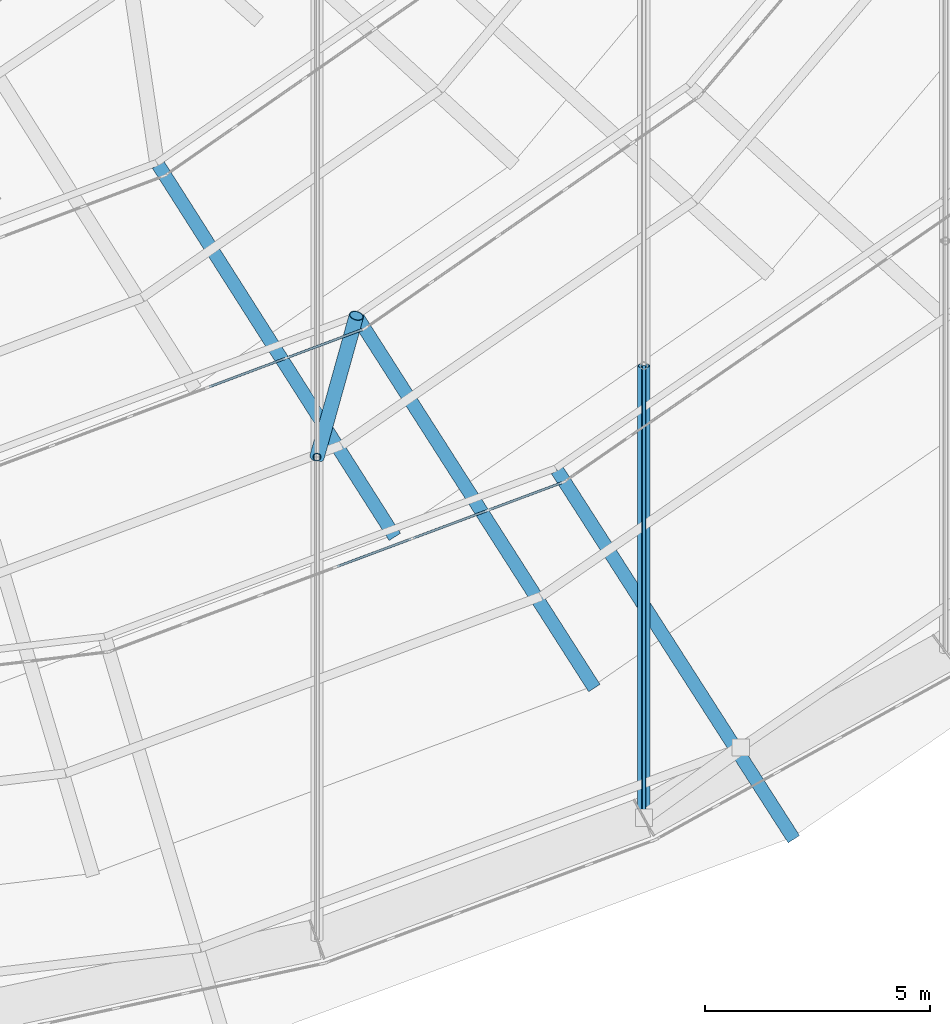
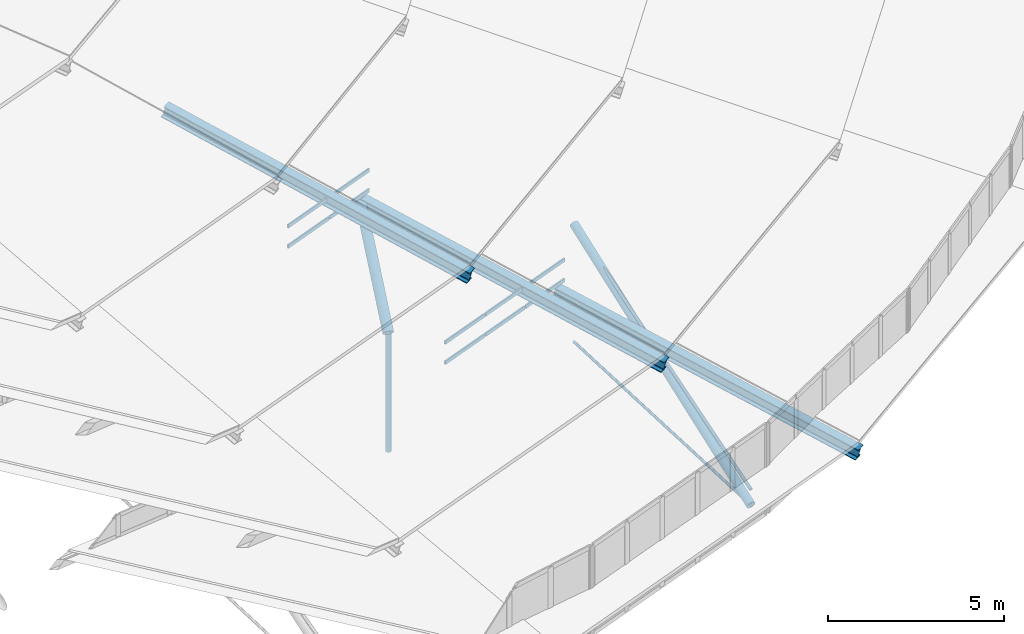
# One storey, part 75 of 173: 18 members, 2 elements without a shape of their own.
"""IFC4 building model written with IfcOpenShell, lengths in metres."""

from ifc_helpers import new_model, si_unit, direction, frame, origin, origin_2d, place, context, subcontext, project, spatial, rectangle, circle, hollow_circle, i_section, extrude, material, material_profile, profile_set, type_object, element, aggregate, save


model = new_model("IFC4")

# Units and contexts
model_context = context("Model", 3, precision=1e-05, world=origin(), true_north=direction((0.0, 1.0)))
body_context = subcontext(model_context, "Body", "Model", "MODEL_VIEW")
ifc_project = project(units=[si_unit("LENGTHUNIT", "METRE"), si_unit("AREAUNIT", "SQUARE_METRE"), si_unit("VOLUMEUNIT", "CUBIC_METRE"), si_unit("PLANEANGLEUNIT", "RADIAN"), si_unit("MASSUNIT", "GRAM", prefix="KILO")], contexts=[model_context])

# Site, building, storey
site_placement = place(None, origin())
site = spatial("IfcSite", under=ifc_project, at=site_placement, CompositionType="ELEMENT")
building_placement = place(site_placement, origin())
building = spatial("IfcBuilding", under=site, at=building_placement, Name="Glasvene Arena", CompositionType="ELEMENT")
storey_placement = place(building_placement, frame((0.0, 0.0, 28.800048828125)))
storey = spatial("IfcBuildingStorey", under=building, at=storey_placement, Name="RF", CompositionType="ELEMENT", Elevation=28.800048828125)

# Curtain wall, members
ifc_material_1 = material(Name="Low-emissivity laminated double glazing", Category="glass")
curtain_wall_type_1 = type_object("IfcCurtainWallType", Name="CW-PET1-1077x75", PredefinedType="USERDEFINED", material=ifc_material_1)
curtain_wall_1_placement = place(storey_placement, frame((102.83154296875, 36.584716796875, 0.0)))
curtain_wall_1 = element("IfcCurtainWall", 1, at=curtain_wall_1_placement, inside=storey, type_object=curtain_wall_type_1, Name="Petal ring 1-2 clerestory curtain wall 20", ObjectType="CURTAIN WALL", PredefinedType="USERDEFINED")
ifc_material_2 = material(Name="Anodised architectural aluminium", Category="aluminium")
ifc_material_profile_1 = material_profile(ifc_material_2, rectangle(XDim=0.050048828125, YDim=0.1201171875, at=origin_2d()), Name="ALU TRANSOM 50x120")
ifc_profile_set_1 = profile_set([ifc_material_profile_1], Name="Anodised architectural aluminium")
member_type_1 = type_object("IfcMemberType", Name="CW-TRN-120", PredefinedType="USERDEFINED", material=ifc_profile_set_1)
member_1_placement = place(storey_placement, frame((107.901611328125, 38.476318359375, 2.60498046875), z_axis=(0.936885499629, 0.349636326179, 0.0), x_axis=(-0.349636326179, 0.936885499629, 0.0)))
member_1 = element("IfcMember", 2, at=member_1_placement, type_object=member_type_1, Name="CW-085 transom 4.1", ObjectType="TRANSOM", PredefinedType="USERDEFINED", context=body_context, shape_type="SweptSolid", body=[
    extrude(rectangle(XDim=0.050048828125, YDim=0.1201171875, at=origin_2d()), origin(), (0.0, 0.0, 1.0), 1.74560546875),
])
member_2_placement = place(storey_placement, frame((107.901611328125, 38.476318359375, 3.304931640625), z_axis=(0.936885499629, 0.349636326179, 0.0), x_axis=(-0.349636326179, 0.936885499629, 0.0)))
member_2 = element("IfcMember", 3, at=member_2_placement, type_object=member_type_1, Name="CW-085 transom 4.2", ObjectType="TRANSOM", PredefinedType="USERDEFINED", context=body_context, shape_type="SweptSolid", body=[
    extrude(rectangle(XDim=0.050048828125, YDim=0.1201171875, at=origin_2d()), origin(), (0.0, 0.0, 1.0), 1.74560546875),
])
member_3_placement = place(storey_placement, frame((109.583984375, 39.104248046875, 2.60498046875), z_axis=(0.936914217078, 0.349559365255, 0.0), x_axis=(-0.349559365255, 0.936914217078, 0.0)))
member_3 = element("IfcMember", 4, at=member_3_placement, type_object=member_type_1, Name="CW-085 transom 5.1", ObjectType="TRANSOM", PredefinedType="USERDEFINED", context=body_context, shape_type="SweptSolid", body=[
    extrude(rectangle(XDim=0.050048828125, YDim=0.1201171875, at=origin_2d()), origin(), (0.0, 0.0, 1.0), 1.745361328125),
])
member_4_placement = place(storey_placement, frame((109.583984375, 39.104248046875, 3.304931640625), z_axis=(0.936914217078, 0.349559365255, 0.0), x_axis=(-0.349559365255, 0.936914217078, 0.0)))
member_4 = element("IfcMember", 5, at=member_4_placement, type_object=member_type_1, Name="CW-085 transom 5.2", ObjectType="TRANSOM", PredefinedType="USERDEFINED", context=body_context, shape_type="SweptSolid", body=[
    extrude(rectangle(XDim=0.050048828125, YDim=0.1201171875, at=origin_2d()), origin(), (0.0, 0.0, 1.0), 1.745361328125),
])
member_5_placement = place(storey_placement, frame((111.26611328125, 39.73193359375, 2.60498046875), z_axis=(0.936940045398, 0.349490130519, 0.0), x_axis=(-0.349490130519, 0.936940045398, 0.0)))
member_5 = element("IfcMember", 6, at=member_5_placement, type_object=member_type_1, Name="CW-085 transom 6.1", ObjectType="TRANSOM", PredefinedType="USERDEFINED", context=body_context, shape_type="SweptSolid", body=[
    extrude(rectangle(XDim=0.050048828125, YDim=0.1201171875, at=origin_2d()), origin(), (0.0, 0.0, 1.0), 1.720458984375),
])
member_6_placement = place(storey_placement, frame((111.26611328125, 39.73193359375, 3.304931640625), z_axis=(0.936940045398, 0.349490130519, 0.0), x_axis=(-0.349490130519, 0.936940045398, 0.0)))
member_6 = element("IfcMember", 7, at=member_6_placement, type_object=member_type_1, Name="CW-085 transom 6.2", ObjectType="TRANSOM", PredefinedType="USERDEFINED", context=body_context, shape_type="SweptSolid", body=[
    extrude(rectangle(XDim=0.050048828125, YDim=0.1201171875, at=origin_2d()), origin(), (0.0, 0.0, 1.0), 1.720458984375),
])
aggregate(curtain_wall_1, [member_1, member_2, member_3, member_4, member_5, member_6])

curtain_wall_type_2 = type_object("IfcCurtainWallType", Name="CW-PET2-925x75", PredefinedType="USERDEFINED", material=ifc_material_1)
curtain_wall_2_placement = place(storey_placement, frame((99.841552734375, 40.505615234375, 0.0)))
curtain_wall_2 = element("IfcCurtainWall", 8, at=curtain_wall_2_placement, inside=storey, type_object=curtain_wall_type_2, Name="Petal ring 2-3 clerestory curtain wall 20", ObjectType="CURTAIN WALL", PredefinedType="USERDEFINED")
member_7_placement = place(storey_placement, frame((105.06005859375, 42.45947265625, 5.204833984375), z_axis=(0.936501948844, 0.350662372962, 0.0), x_axis=(-0.350662372962, 0.936501948844, 0.0)))
member_7 = element("IfcMember", 9, at=member_7_placement, type_object=member_type_1, Name="CW-091 transom 4.1", ObjectType="TRANSOM", PredefinedType="USERDEFINED", context=body_context, shape_type="SweptSolid", body=[
    extrude(rectangle(XDim=0.050048828125, YDim=0.1201171875, at=origin_2d()), origin(), (0.0, 0.0, 1.0), 1.799072265625),
])
member_8_placement = place(storey_placement, frame((105.06005859375, 42.45947265625, 5.905029296875), z_axis=(0.936501948844, 0.350662372962, 0.0), x_axis=(-0.350662372962, 0.936501948844, 0.0)))
member_8 = element("IfcMember", 10, at=member_8_placement, type_object=member_type_1, Name="CW-091 transom 4.2", ObjectType="TRANSOM", PredefinedType="USERDEFINED", context=body_context, shape_type="SweptSolid", body=[
    extrude(rectangle(XDim=0.050048828125, YDim=0.1201171875, at=origin_2d()), origin(), (0.0, 0.0, 1.0), 1.799072265625),
])
member_9_placement = place(storey_placement, frame((106.791748046875, 43.10791015625, 5.204833984375), z_axis=(0.936504385007, 0.350655866715, 0.0), x_axis=(-0.350655866715, 0.936504385007, 0.0)))
member_9 = element("IfcMember", 11, at=member_9_placement, type_object=member_type_1, Name="CW-091 transom 5.1", ObjectType="TRANSOM", PredefinedType="USERDEFINED", context=body_context, shape_type="SweptSolid", body=[
    extrude(rectangle(XDim=0.050048828125, YDim=0.1201171875, at=origin_2d()), origin(), (0.0, 0.0, 1.0), 1.77392578125),
])
member_10_placement = place(storey_placement, frame((106.791748046875, 43.10791015625, 5.905029296875), z_axis=(0.936504385007, 0.350655866715, 0.0), x_axis=(-0.350655866715, 0.936504385007, 0.0)))
member_10 = element("IfcMember", 12, at=member_10_placement, type_object=member_type_1, Name="CW-091 transom 5.2", ObjectType="TRANSOM", PredefinedType="USERDEFINED", context=body_context, shape_type="SweptSolid", body=[
    extrude(rectangle(XDim=0.050048828125, YDim=0.1201171875, at=origin_2d()), origin(), (0.0, 0.0, 1.0), 1.77392578125),
])
aggregate(curtain_wall_2, [member_7, member_8, member_9, member_10])

# Members
ifc_material_3 = material(Name="High-strength steel spiral strand S460", Category="steel")
ifc_material_profile_2 = material_profile(ifc_material_3, circle(Radius=0.052490234375, at=origin_2d()), Name="LCSS D105")
ifc_profile_set_2 = profile_set([ifc_material_profile_2], Name="High-strength steel spiral strand S460")
member_type_2 = type_object("IfcMemberType", Name="MB-CABLE-105", PredefinedType="USERDEFINED", material=ifc_profile_set_2)
member_11_placement = place(storey_placement, frame((114.699462890625, 32.90478515625, -0.780029296875), z_axis=(0.0, 0.955115669701, 0.296233113427), x_axis=(-1.0, 0.0, 0.0)))
element("IfcMember", 13, at=member_11_placement, inside=storey, type_object=member_type_2, Name="Upper lens roof cable NS02-01", ObjectType="ROOF CABLE", PredefinedType="USERDEFINED", context=body_context, shape_type="SweptSolid", body=[
    extrude(circle(Radius=0.052490234375, at=origin_2d()), origin(), (0.0, 0.0, 1.0), 10.49462890625),
])
ifc_material_profile_3 = material_profile(ifc_material_3, circle(Radius=0.044921875, at=origin_2d()), Name="LCSS D90")
ifc_profile_set_3 = profile_set([ifc_material_profile_3], Name="High-strength steel spiral strand S460")
member_type_3 = type_object("IfcMemberType", Name="MB-CABLE-90", PredefinedType="USERDEFINED", material=ifc_profile_set_3)
member_12_placement = place(storey_placement, frame((114.699462890625, 32.90478515625, -1.320068359375), z_axis=(0.0, 0.999067829779, -0.043167945296), x_axis=(-1.0, 0.0, 0.0)))
element("IfcMember", 14, at=member_12_placement, inside=storey, type_object=member_type_3, Name="Lower stabilization roof cable NS02-01", ObjectType="ROOF CABLE", PredefinedType="USERDEFINED", context=body_context, shape_type="SweptSolid", body=[
    extrude(circle(Radius=0.044921875, at=origin_2d()), origin(), (0.0, 0.0, 1.0), 10.032958984375),
])
ifc_material_4 = material(Name="Steel S355J2", Category="steel")
ifc_material_profile_4 = material_profile(ifc_material_4, i_section(OverallWidth=0.300048828125, OverallDepth=0.39990234375, WebThickness=0.013427734375, FlangeThickness=0.02392578125, FilletRadius=0.027099609375, at=origin_2d()), Name="HEB 400")
ifc_profile_set_4 = profile_set([ifc_material_profile_4], Name="Steel S355J2")
member_type_4 = type_object("IfcMemberType", Name="MB-CHORD-HEB400", PredefinedType="CHORD", material=ifc_profile_set_4)
member_13_placement = place(storey_placement, frame((118.0, 32.469970703125, -0.400146484375), z_axis=(-0.522944416595, 0.815179491662, 0.24902115076), x_axis=(-0.841694512894, -0.539954023009, 0.0)))
element("IfcMember", 15, at=member_13_placement, inside=storey, type_object=member_type_4, Name="Petal ring 1 radial rib 21", PredefinedType="CHORD", context=body_context, shape_type="SweptSolid", body=[
    extrude(i_section(OverallWidth=0.300048828125, OverallDepth=0.39990234375, WebThickness=0.013427734375, FlangeThickness=0.02392578125, FilletRadius=0.027099609375, at=origin_2d()), origin(), (0.0, 0.0, 1.0), 10.039306640625),
])
member_14_placement = place(storey_placement, frame((113.574951171875, 35.8232421875, 2.14990234375), z_axis=(-0.520991039955, 0.815187198725, 0.253057636362), x_axis=(-0.842613245104, -0.538519191093, 0.0)))
element("IfcMember", 16, at=member_14_placement, inside=storey, type_object=member_type_4, Name="Petal ring 2 radial rib 21", PredefinedType="CHORD", context=body_context, shape_type="SweptSolid", body=[
    extrude(i_section(OverallWidth=0.300048828125, OverallDepth=0.39990234375, WebThickness=0.013427734375, FlangeThickness=0.02392578125, FilletRadius=0.027099609375, at=origin_2d()), origin(), (0.0, 0.0, 1.0), 10.076904296875),
])
member_15_placement = place(storey_placement, frame((109.14990234375, 39.1767578125, 4.75), z_axis=(-0.518677633856, 0.815474894115, 0.256854451401), x_axis=(-0.843783756963, -0.536683306508, 0.0)))
element("IfcMember", 17, at=member_15_placement, inside=storey, type_object=member_type_4, Name="Petal ring 3 radial rib 21", PredefinedType="CHORD", context=body_context, shape_type="SweptSolid", body=[
    extrude(i_section(OverallWidth=0.300048828125, OverallDepth=0.39990234375, WebThickness=0.013427734375, FlangeThickness=0.02392578125, FilletRadius=0.027099609375, at=origin_2d()), origin(), (0.0, 0.0, 1.0), 10.121826171875),
])
ifc_material_profile_5 = material_profile(ifc_material_4, hollow_circle(Radius=0.161865234375, WallThickness=0.01611328125, at=origin_2d()), Name="CHS 323.9x16.0")
ifc_profile_set_5 = profile_set([ifc_material_profile_5], Name="Steel S355J2")
member_type_5 = type_object("IfcMemberType", Name="MB-POST-CHS324", PredefinedType="BRACE", material=ifc_profile_set_5)
member_16_placement = place(storey_placement, frame((107.45068359375, 40.90185546875, 2.328857421875), z_axis=(0.214473480595, 0.769313559968, 0.60179545742), x_axis=(-0.963267158044, 0.268544935224, 0.0)))
element("IfcMember", 18, at=member_16_placement, inside=storey, type_object=member_type_5, Name="Petal ring 2 ridge support post 21", PredefinedType="BRACE", context=body_context, shape_type="SweptSolid", body=[
    extrude(hollow_circle(Radius=0.161865234375, WallThickness=0.01611328125, at=origin_2d()), origin(), (0.0, 0.0, 1.0), 4.076416015625),
])
ifc_material_profile_6 = material_profile(ifc_material_4, hollow_circle(Radius=0.084228515625, WallThickness=0.008056640625, at=origin_2d()), Name="CHS 168.3x8.0")
ifc_profile_set_6 = profile_set([ifc_material_profile_6], Name="Steel S355J2")
member_type_6 = type_object("IfcMemberType", Name="MB-WEB-CHS168", PredefinedType="BRACE", material=ifc_profile_set_6)
member_17_placement = place(storey_placement, frame((107.45068359375, 40.90185546875, -1.753173828125), z_axis=(0.0, 0.0, 1.0), x_axis=(1.0, 0.0, 0.0)))
element("IfcMember", 19, at=member_17_placement, inside=storey, type_object=member_type_6, Name="Cable-truss vertical strut NS03-01", PredefinedType="BRACE", context=body_context, shape_type="SweptSolid", body=[
    extrude(hollow_circle(Radius=0.084228515625, WallThickness=0.008056640625, at=origin_2d()), origin(), (0.0, 0.0, 1.0), 4.08203125),
])
ifc_material_profile_7 = material_profile(ifc_material_4, hollow_circle(Radius=0.136474609375, WallThickness=0.012451171875, at=origin_2d()), Name="CHS 273.0x12.5")
ifc_profile_set_7 = profile_set([ifc_material_profile_7], Name="Steel S355J2")
member_type_7 = type_object("IfcMemberType", Name="MB-WEB-CHS273", PredefinedType="BRACE", material=ifc_profile_set_7)
member_18_placement = place(storey_placement, frame((114.699462890625, 32.90478515625, -1.320068359375), z_axis=(0.0, 0.939674420625, 0.342070143719), x_axis=(-1.0, 0.0, 0.0)))
element("IfcMember", 20, at=member_18_placement, inside=storey, type_object=member_type_7, Name="Cable-truss diagonal web strut NS02-01", PredefinedType="BRACE", context=body_context, shape_type="SweptSolid", body=[
    extrude(hollow_circle(Radius=0.136474609375, WallThickness=0.012451171875, at=origin_2d()), origin(), (0.0, 0.0, 1.0), 10.667236328125),
])

save(model, "model.ifc")
